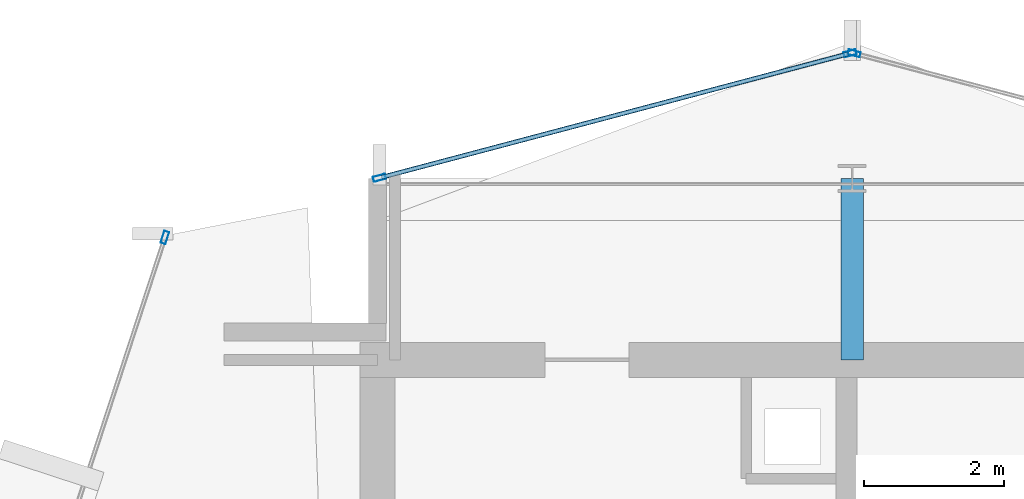
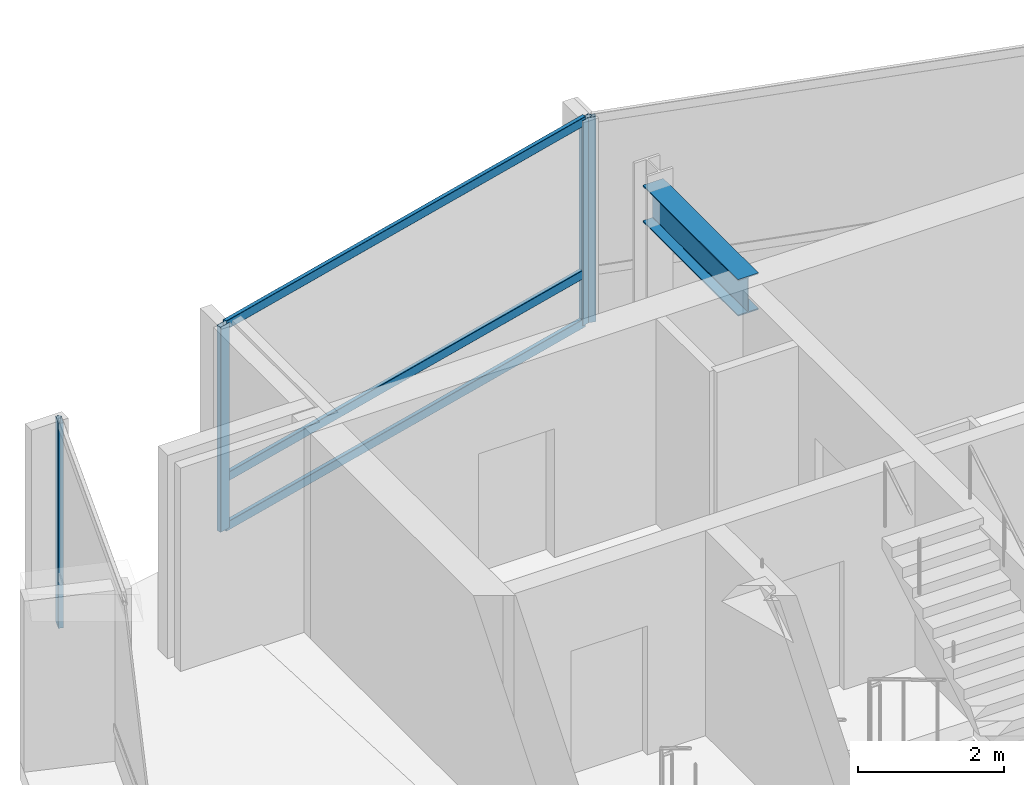
# One storey, part 16 of 28: 7 members, 1 beam, 3 elements without a shape of their own.
"""IFC4 building model written with IfcOpenShell, lengths in metres."""

import ifcopenshell
import ifcopenshell.guid

model = None  # the IFC model being written
_history = None  # IfcOwnerHistory: only IFC2X3 demands one
_inside = {}  # id of a spatial element -> (the spatial element, [elements in it])
_under = {}  # id of a project, library or spatial element -> (it, [spatial elements below it])
_declared = {}  # id of a project -> (the project, [libraries it declares])
_typed = {}  # id of a type object -> (the type object, [elements of that type])
_made_of = {}  # id of a material, layer set ... -> (it, [elements and type objects made of it])


def new_model(schema):
    """Start an empty IFC model of exactly this schema.

    Asked for "IFC4X3", IfcOpenShell would pick the latest addendum, in which some entities
    have other attributes; the version numbers below select the first issue.
    IFC2X3 requires an IfcOwnerHistory on every rooted entity: one is made here for all.
    """
    global model, _history
    if schema == "IFC4X3":
        model = ifcopenshell.file(schema_version=(4, 3, 0, 0))
    else:
        model = ifcopenshell.file(schema=schema)
    _inside.clear()
    _under.clear()
    _declared.clear()
    _typed.clear()
    _made_of.clear()
    _history = None
    if model.schema == "IFC2X3":
        org = make("IfcOrganization", Name="unknown")
        user = make(
            "IfcPersonAndOrganization",
            ThePerson=make("IfcPerson", FamilyName="unknown"),
            TheOrganization=org,
        )
        app = make(
            "IfcApplication",
            ApplicationDeveloper=org,
            Version="unknown",
            ApplicationFullName="unknown",
            ApplicationIdentifier="unknown",
        )
        _history = make(
            "IfcOwnerHistory",
            OwningUser=user,
            OwningApplication=app,
            ChangeAction="ADDED",
            CreationDate=0,
        )
    return model


def make(cls, **values):
    """One entity of the class cls with the attributes given. An attribute that is None is left unset."""
    return model.create_entity(
        cls, **{name: value for name, value in values.items() if value is not None}
    )


def rooted(cls, **values):
    """An entity with a GlobalId (a new one), such as an element, a storey or a relation."""
    return make(cls, GlobalId=ifcopenshell.guid.new(), OwnerHistory=_history, **values)


def si_unit(unit_type, name, prefix=None):
    """IfcSIUnit, for example si_unit("LENGTHUNIT", "METRE", prefix="MILLI")."""
    return make("IfcSIUnit", UnitType=unit_type, Prefix=prefix, Name=name)


def assignment(units):
    """IfcUnitAssignment: the units of a project."""
    return None if units is None else make("IfcUnitAssignment", Units=units)


def point(xyz):
    """IfcCartesianPoint."""
    return None if xyz is None else make("IfcCartesianPoint", Coordinates=xyz)


def direction(xyz):
    """IfcDirection."""
    return None if xyz is None else make("IfcDirection", DirectionRatios=xyz)


def frame(location, z_axis=None, x_axis=None):
    """IfcAxis2Placement3D, a coordinate frame: its origin and axes. An axis left out is left unset."""
    return make(
        "IfcAxis2Placement3D",
        Location=point(location),
        Axis=direction(z_axis),
        RefDirection=direction(x_axis),
    )


def frame_2d(location, x_axis=None):
    """IfcAxis2Placement2D, a coordinate frame in the plane: its origin and x axis."""
    return make(
        "IfcAxis2Placement2D", Location=point(location), RefDirection=direction(x_axis)
    )


def origin():
    """The frame at (0, 0, 0) with its axes left unset."""
    return frame((0.0, 0.0, 0.0))


def origin_2d():
    """The frame at (0, 0) in the plane with its x axis left unset."""
    return frame_2d((0.0, 0.0))


def place(relative_to, where):
    """IfcLocalPlacement: puts the frame where relative to a parent placement (None: the world)."""
    return make(
        "IfcLocalPlacement", PlacementRelTo=relative_to, RelativePlacement=where
    )


def context(
    kind, dimensions, precision=None, world=None, true_north=None, identifier=None
):
    """IfcGeometricRepresentationContext, for example the 3D "Model" context."""
    return make(
        "IfcGeometricRepresentationContext",
        ContextIdentifier=identifier,
        ContextType=kind,
        CoordinateSpaceDimension=dimensions,
        Precision=precision,
        WorldCoordinateSystem=world,
        TrueNorth=true_north,
    )


def subcontext(parent, identifier, kind, view, scale=None):
    """IfcGeometricRepresentationSubContext, for example "Body" below "Model"."""
    return make(
        "IfcGeometricRepresentationSubContext",
        ContextIdentifier=identifier,
        ContextType=kind,
        ParentContext=parent,
        TargetScale=scale,
        TargetView=view,
    )


def project(units=None, contexts=None):
    """IfcProject with its units and contexts."""
    return rooted(
        "IfcProject",
        Name="project",
        RepresentationContexts=contexts,
        UnitsInContext=assignment(units),
    )


def spatial(cls, under=None, at=None, **own):
    """A site, building, storey or space (cls), placed at a placement, below another one or the project."""
    s = rooted(cls, ObjectPlacement=at, **own)
    if under is not None:
        _under.setdefault(under.id(), (under, []))[1].append(s)
    return s


def profile(cls, at=None, kind="AREA", **sizes):
    """A parametric profile (cls). Its sizes go by their IFC names, for example OverallWidth=200.0."""
    return make(cls, ProfileType=kind, Position=at, **sizes)


def hollow_rectangle(**sizes):
    """IfcRectangleHollowProfileDef."""
    return profile("IfcRectangleHollowProfileDef", **sizes)


def i_section(**sizes):
    """IfcIShapeProfileDef."""
    return profile("IfcIShapeProfileDef", **sizes)


def extrude(swept, where, along, depth):
    """IfcExtrudedAreaSolid: the profile swept, set in the frame where, extruded along a direction by depth."""
    return make(
        "IfcExtrudedAreaSolid",
        SweptArea=swept,
        Position=where,
        ExtrudedDirection=direction(along),
        Depth=depth,
    )


def shape(context_of_items, identifier, shape_type, items):
    """IfcShapeRepresentation: the items that make up one representation, for example the "Body"."""
    return make(
        "IfcShapeRepresentation",
        ContextOfItems=context_of_items,
        RepresentationIdentifier=identifier,
        RepresentationType=shape_type,
        Items=items,
    )


def material(Name=None, Category=None):
    """IfcMaterial."""
    return make("IfcMaterial", Name=Name, Category=Category)


def layer(
    of_material, thickness, ventilated=None, Name=None, Category=None, Priority=None
):
    """IfcMaterialLayer: one layer of a wall or slab, of a material (None: an air gap)."""
    return make(
        "IfcMaterialLayer",
        Material=of_material,
        LayerThickness=thickness,
        IsVentilated=ventilated,
        Name=Name,
        Category=Category,
        Priority=Priority,
    )


def layer_set(layers, Name=None):
    """IfcMaterialLayerSet."""
    return make("IfcMaterialLayerSet", MaterialLayers=layers, LayerSetName=Name)


def material_profile(
    of_material, cross_section, Name=None, Category=None, Priority=None
):
    """IfcMaterialProfile: a cross section and its material."""
    return make(
        "IfcMaterialProfile",
        Name=Name,
        Material=of_material,
        Profile=cross_section,
        Priority=Priority,
        Category=Category,
    )


def profile_set(profiles, Name=None, composite=None):
    """IfcMaterialProfileSet."""
    return make(
        "IfcMaterialProfileSet",
        Name=Name,
        MaterialProfiles=profiles,
        CompositeProfile=composite,
    )


def made_of(thing, what):
    """Note that an element or type object is made of a material, layer set ...; save() writes the relation."""
    if what is not None:
        _made_of.setdefault(what.id(), (what, []))[1].append(thing)
    return thing


def type_object(cls, material=None, **own):
    """A type object (cls), such as IfcWallType, which elements share."""
    return made_of(rooted(cls, **own), material)


def element(
    cls,
    number,
    at=None,
    inside=None,
    cuts=None,
    type_object=None,
    material=None,
    context=None,
    identifier="Body",
    shape_type=None,
    held_by="IfcProductDefinitionShape",
    body=None,
    shapes=None,
    **own,
):
    """One element of the class cls, such as IfcWall. Its Tag is "e" and its number.

    at: its placement. inside: the storey or other place that contains it. cuts: it is an
    opening in that element (IfcRelVoidsElement). A single representation is given by context,
    identifier, shape_type and body (its items); several are given by shapes. held_by: the class
    of the entity that holds the representations. save() writes the other relations.
    """
    e = rooted(cls, Tag="e%d" % number, ObjectPlacement=at, **own)
    if body is not None:
        shapes = [shape(context, identifier, shape_type, body)]
    if shapes is not None:
        e.Representation = make(held_by, Representations=shapes)
    if inside is not None:
        _inside.setdefault(inside.id(), (inside, []))[1].append(e)
    if cuts is not None:
        rooted(
            "IfcRelVoidsElement", RelatingBuildingElement=cuts, RelatedOpeningElement=e
        )
    if type_object is not None:
        _typed.setdefault(type_object.id(), (type_object, []))[1].append(e)
    return made_of(e, material)


def aggregate(whole, parts):
    """IfcRelAggregates: a whole, such as a stair, and the parts it consists of."""
    return rooted("IfcRelAggregates", RelatingObject=whole, RelatedObjects=parts)


def save(model, path):
    """Write the relations noted so far, then the file.

    IfcRelAggregates (storeys below a building ...), IfcRelContainedInSpatialStructure (elements
    in a storey), IfcRelDefinesByType, IfcRelAssociatesMaterial and IfcRelDeclares: one each for
    every whole, place, type object, material and project.
    """
    for whole, parts in _under.values():
        aggregate(whole, parts)
    for where, things in _inside.values():
        rooted(
            "IfcRelContainedInSpatialStructure",
            RelatedElements=things,
            RelatingStructure=where,
        )
    for kind, things in _typed.values():
        rooted("IfcRelDefinesByType", RelatedObjects=things, RelatingType=kind)
    for what, things in _made_of.values():
        rooted("IfcRelAssociatesMaterial", RelatedObjects=things, RelatingMaterial=what)
    for by, libraries in _declared.values():
        rooted("IfcRelDeclares", RelatingContext=by, RelatedDefinitions=libraries)
    model.write(path)


model = new_model("IFC4")

# Units and contexts
model_context = context("Model", 3, precision=1e-05, world=origin(), true_north=direction((0.0, 1.0)))
body_context = subcontext(model_context, "Body", "Model", "MODEL_VIEW")
ifc_project = project(units=[si_unit("LENGTHUNIT", "METRE"), si_unit("AREAUNIT", "SQUARE_METRE"), si_unit("VOLUMEUNIT", "CUBIC_METRE"), si_unit("PLANEANGLEUNIT", "RADIAN"), si_unit("MASSUNIT", "GRAM", prefix="KILO")], contexts=[model_context])

# Site, building, storey
site_placement = place(None, origin())
site = spatial("IfcSite", under=ifc_project, at=site_placement, CompositionType="ELEMENT")
building_placement = place(site_placement, origin())
building = spatial("IfcBuilding", under=site, at=building_placement, Name="Solvaryn Broadcast Tower", CompositionType="ELEMENT")
storey_placement = place(building_placement, frame((0.0, 0.0, 213.60009765625)))
storey = spatial("IfcBuildingStorey", under=building, at=storey_placement, Name="L53", CompositionType="ELEMENT", Elevation=213.60009765625)

# Beam
ifc_material_1 = material(Name="Steel ASTM A992 Grade 50", Category="steel")
ifc_material_profile_1 = material_profile(ifc_material_1, i_section(OverallWidth=0.323974609375, OverallDepth=0.611083984375, WebThickness=0.0126953125, FlangeThickness=0.01904296875, FilletRadius=0.014892578125, at=origin_2d()))
ifc_profile_set_1 = profile_set([ifc_material_profile_1], Name="Steel ASTM A992 Grade 50")
beam_type = type_object("IfcBeamType", Name="BM-B1-W24X104", PredefinedType="BEAM", material=ifc_profile_set_1)
beam_placement = place(storey_placement, frame((18.0, 42.39990234375, 3.114501953125), z_axis=(0.0, 1.0, 0.0), x_axis=(-1.0, 0.0, 0.0)))
element("IfcBeam", 1, at=beam_placement, inside=storey, type_object=beam_type, Name="L53 Core Tie Beam CTW3", PredefinedType="BEAM", context=body_context, shape_type="SweptSolid", body=[
    extrude(i_section(OverallWidth=0.323974609375, OverallDepth=0.611083984375, WebThickness=0.0126953125, FlangeThickness=0.01904296875, FilletRadius=0.014892578125, at=origin_2d()), origin(), (0.0, 0.0, 1.0), 2.60009765625),
])

# Curtain wall, member
ifc_material_2 = material(Name="Aluminium and Terracotta Unitised Curtain Wall", Category="masonry")
ifc_layer = layer(ifc_material_2, 0.199951171875)
ifc_layer_set = layer_set([ifc_layer], Name="CW-SYS2-LOWMID")
curtain_wall_type = type_object("IfcCurtainWallType", Name="CW-SYS2-LOWMID", PredefinedType="NOTDEFINED", material=ifc_layer_set)
curtain_wall_1_placement = place(storey_placement, origin())
curtain_wall_1 = element("IfcCurtainWall", 2, at=curtain_wall_1_placement, inside=storey, type_object=curtain_wall_type, Name="L53 Curtain Wall DR1", PredefinedType="NOTDEFINED")
ifc_material_3 = material(Name="Anodised Aluminium 6063-T6", Category="aluminium")
ifc_material_profile_2 = material_profile(ifc_material_3, hollow_rectangle(XDim=0.074951171875, YDim=0.179931640625, WallThickness=0.00390625, InnerFilletRadius=0.00390625, OuterFilletRadius=0.008056640625, at=origin_2d()))
ifc_profile_set_2 = profile_set([ifc_material_profile_2], Name="Anodised Aluminium 6063-T6")
member_type_1 = type_object("IfcMemberType", Name="CW-MUL-180", PredefinedType="MULLION", material=ifc_profile_set_2)
member_1_placement = place(storey_placement, frame((8.153564453125, 44.153564453125, 0.0), z_axis=(0.0, 0.0, 1.0), x_axis=(0.950226902099, -0.311558717623, 0.0)))
member_1 = element("IfcMember", 3, at=member_1_placement, type_object=member_type_1, Name="CWS2 mullion 1", PredefinedType="MULLION", context=body_context, shape_type="SweptSolid", body=[
    extrude(hollow_rectangle(XDim=0.074951171875, YDim=0.179931640625, WallThickness=0.00390625, InnerFilletRadius=0.00390625, OuterFilletRadius=0.008056640625, at=origin_2d()), origin(), (0.0, 0.0, 1.0), 3.419921875),
])
aggregate(curtain_wall_1, [member_1])

curtain_wall_2_placement = place(storey_placement, origin())
curtain_wall_2 = element("IfcCurtainWall", 4, at=curtain_wall_2_placement, inside=storey, type_object=curtain_wall_type, Name="L53 Curtain Wall NT1", PredefinedType="NOTDEFINED")
member_2_placement = place(storey_placement, frame((18.029052734375, 46.792236328125, 0.0), z_axis=(0.0, 0.0, 1.0), x_axis=(-0.25589256031, -0.966705227863, 0.0)))
member_2 = element("IfcMember", 5, at=member_2_placement, type_object=member_type_1, Name="CWS2 mullion 2", PredefinedType="MULLION", context=body_context, shape_type="SweptSolid", body=[
    extrude(hollow_rectangle(XDim=0.074951171875, YDim=0.179931640625, WallThickness=0.00390625, InnerFilletRadius=0.00390625, OuterFilletRadius=0.008056640625, at=origin_2d()), origin(), (0.0, 0.0, 1.0), 3.419921875),
])
aggregate(curtain_wall_2, [member_2])

# Curtain wall, members
curtain_wall_3_placement = place(storey_placement, origin())
curtain_wall_3 = element("IfcCurtainWall", 6, at=curtain_wall_3_placement, inside=storey, type_object=curtain_wall_type, Name="L53 Curtain Wall NT2", PredefinedType="NOTDEFINED")
member_3_placement = place(storey_placement, frame((17.970947265625, 46.792236328125, 0.0), z_axis=(0.0, 0.0, 1.0), x_axis=(0.25589256031, -0.966705227863, 0.0)))
member_3 = element("IfcMember", 7, at=member_3_placement, type_object=member_type_1, Name="CWS2 mullion 1", PredefinedType="MULLION", context=body_context, shape_type="SweptSolid", body=[
    extrude(hollow_rectangle(XDim=0.074951171875, YDim=0.179931640625, WallThickness=0.00390625, InnerFilletRadius=0.00390625, OuterFilletRadius=0.008056640625, at=origin_2d()), origin(), (0.0, 0.0, 1.0), 3.419921875),
])
member_4_placement = place(storey_placement, frame((11.22900390625, 45.007568359375, 0.0), z_axis=(0.0, 0.0, 1.0), x_axis=(0.25589256031, -0.966705227863, 0.0)))
member_4 = element("IfcMember", 8, at=member_4_placement, type_object=member_type_1, Name="CWS2 mullion 2", PredefinedType="MULLION", context=body_context, shape_type="SweptSolid", body=[
    extrude(hollow_rectangle(XDim=0.074951171875, YDim=0.179931640625, WallThickness=0.00390625, InnerFilletRadius=0.00390625, OuterFilletRadius=0.008056640625, at=origin_2d()), origin(), (0.0, 0.0, 1.0), 3.419921875),
])
ifc_material_4 = material(Name="Anodised Aluminium 6063-T6", Category="aluminium")
ifc_material_profile_3 = material_profile(ifc_material_4, hollow_rectangle(XDim=0.06494140625, YDim=0.14990234375, WallThickness=0.00390625, InnerFilletRadius=0.00390625, OuterFilletRadius=0.008056640625, at=origin_2d()))
ifc_profile_set_3 = profile_set([ifc_material_profile_3], Name="Anodised Aluminium 6063-T6")
member_type_2 = type_object("IfcMemberType", Name="CW-TRN-150", PredefinedType="USERDEFINED", material=ifc_profile_set_3)
member_5_placement = place(storey_placement, frame((17.94189453125, 46.78466796875, 0.02978515625), z_axis=(-0.966703943301, -0.255897413051, 0.0), x_axis=(0.255897413051, -0.966703943301, 0.0)))
member_5 = element("IfcMember", 9, at=member_5_placement, type_object=member_type_2, Name="CWS2 transom 1.1", ObjectType="TRANSOM", PredefinedType="USERDEFINED", context=body_context, shape_type="SweptSolid", body=[
    extrude(hollow_rectangle(XDim=0.06494140625, YDim=0.14990234375, WallThickness=0.00390625, InnerFilletRadius=0.00390625, OuterFilletRadius=0.008056640625, at=origin_2d()), origin(), (0.0, 0.0, 1.0), 6.9140625),
])
member_6_placement = place(storey_placement, frame((17.94189453125, 46.78466796875, 0.849853515625), z_axis=(-0.966703943301, -0.255897413051, 0.0), x_axis=(0.255897413051, -0.966703943301, 0.0)))
member_6 = element("IfcMember", 10, at=member_6_placement, type_object=member_type_2, Name="CWS2 transom 1.2", ObjectType="TRANSOM", PredefinedType="USERDEFINED", context=body_context, shape_type="SweptSolid", body=[
    extrude(hollow_rectangle(XDim=0.06494140625, YDim=0.14990234375, WallThickness=0.00390625, InnerFilletRadius=0.00390625, OuterFilletRadius=0.008056640625, at=origin_2d()), origin(), (0.0, 0.0, 1.0), 6.9140625),
])
member_7_placement = place(storey_placement, frame((17.94189453125, 46.78466796875, 3.389892578125), z_axis=(-0.966703943301, -0.255897413051, 0.0), x_axis=(0.255897413051, -0.966703943301, 0.0)))
member_7 = element("IfcMember", 11, at=member_7_placement, type_object=member_type_2, Name="CWS2 transom 1.3", ObjectType="TRANSOM", PredefinedType="USERDEFINED", context=body_context, shape_type="SweptSolid", body=[
    extrude(hollow_rectangle(XDim=0.06494140625, YDim=0.14990234375, WallThickness=0.00390625, InnerFilletRadius=0.00390625, OuterFilletRadius=0.008056640625, at=origin_2d()), origin(), (0.0, 0.0, 1.0), 6.9140625),
])
aggregate(curtain_wall_3, [member_3, member_4, member_5, member_6, member_7])

save(model, "model.ifc")
